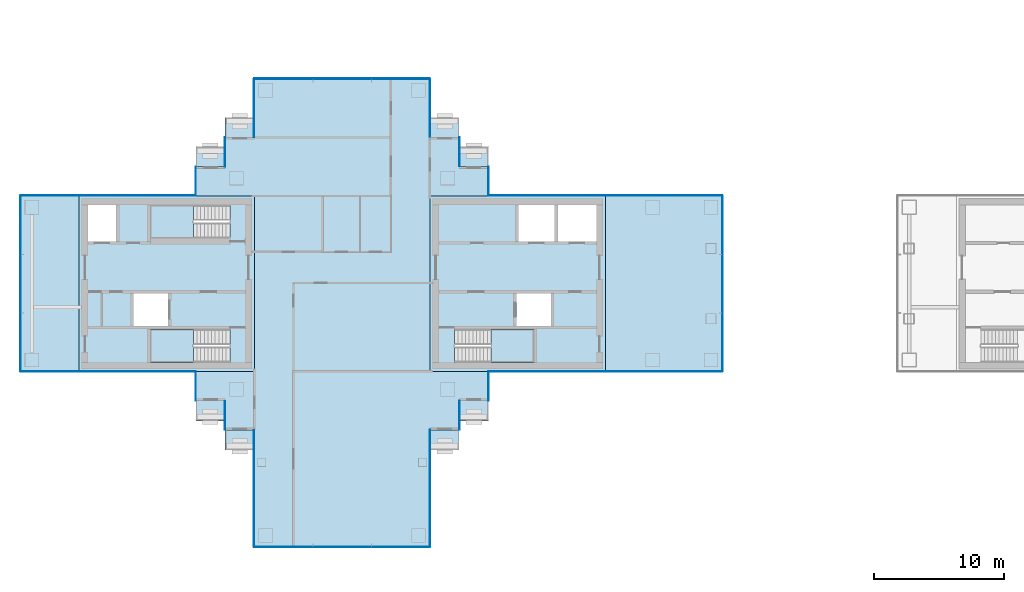
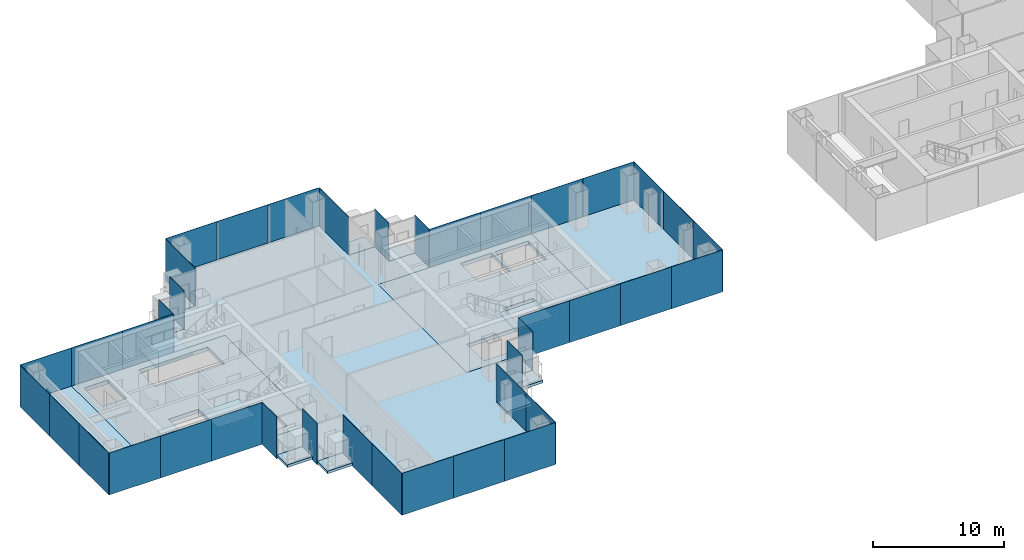
# One storey, part 7 of 16: 40 plates, 16 slabs, 23 elements without a shape of their own.
"""IFC4 building model written with IfcOpenShell, lengths in metres."""

from ifc_helpers import new_model, si_unit, direction, frame, origin, origin_2d, place, context, subcontext, project, spatial, polyline, rectangle, outline, extrude, material, layer, layer_set, type_object, element, aggregate, save


model = new_model("IFC4")

# Units and contexts
model_context = context("Model", 3, precision=1e-05, world=origin(), true_north=direction((0.0, 1.0)))
body_context = subcontext(model_context, "Body", "Model", "MODEL_VIEW")
ifc_project = project(units=[si_unit("LENGTHUNIT", "METRE"), si_unit("AREAUNIT", "SQUARE_METRE"), si_unit("VOLUMEUNIT", "CUBIC_METRE"), si_unit("PLANEANGLEUNIT", "RADIAN"), si_unit("MASSUNIT", "GRAM", prefix="KILO")], contexts=[model_context])

# Site, building, storey
site_placement = place(None, origin())
site = spatial("IfcSite", under=ifc_project, at=site_placement, CompositionType="ELEMENT")
building_placement = place(site_placement, origin())
building = spatial("IfcBuilding", under=site, at=building_placement, Name="Shamsa Quay Exchange Towers", CompositionType="ELEMENT")
storey_placement = place(building_placement, frame((0.0, 0.0, 158.39990234375)))
storey = spatial("IfcBuildingStorey", under=building, at=storey_placement, Name="L37", CompositionType="ELEMENT", Elevation=158.39990234375)

# Slabs
ifc_material_1 = material(Name="Precast concrete C40/50", Category="concrete")
ifc_layer_1 = layer(ifc_material_1, 0.25)
ifc_layer_set_1 = layer_set([ifc_layer_1], Name="BALCONY SLAB 250")
slab_type_1 = type_object("IfcSlabType", Name="BALCONY SLAB 250", PredefinedType="FLOOR", material=ifc_layer_set_1)
slab_1_placement = place(storey_placement, frame((0.0, 0.0, -0.25)))
element("IfcSlab", 1, at=slab_1_placement, inside=storey, type_object=slab_type_1, Name="Balcony T1-PKEN L37", PredefinedType="FLOOR", context=body_context, shape_type="SweptSolid", body=[
    extrude(outline(polyline([(-22.5, 9.0), (-24.7119140625, 9.0), (-24.7119140625, 10.550048828125), (-22.5, 10.550048828125), (-22.5, 9.0)])), origin(), (0.0, 0.0, 1.0), 0.25),
])
slab_2_placement = place(storey_placement, frame((0.0, 0.0, -0.25)))
element("IfcSlab", 2, at=slab_2_placement, inside=storey, type_object=slab_type_1, Name="Balcony T1-PKEN L37", PredefinedType="FLOOR", context=body_context, shape_type="SweptSolid", body=[
    extrude(outline(polyline([(-24.75, 11.25), (-26.9619140625, 11.25), (-26.9619140625, 12.800048828125), (-24.75, 12.800048828125), (-24.75, 11.25)])), origin(), (0.0, 0.0, 1.0), 0.25),
])
slab_3_placement = place(storey_placement, frame((0.0, 0.0, -0.25)))
element("IfcSlab", 3, at=slab_3_placement, inside=storey, type_object=slab_type_1, Name="Balcony T1-PKES L37", PredefinedType="FLOOR", context=body_context, shape_type="SweptSolid", body=[
    extrude(outline(polyline([(-24.7119140625, -9.0), (-22.5, -9.0), (-22.5, -10.550048828125), (-24.7119140625, -10.550048828125), (-24.7119140625, -9.0)])), origin(), (0.0, 0.0, 1.0), 0.25),
])
slab_4_placement = place(storey_placement, frame((0.0, 0.0, -0.25)))
element("IfcSlab", 4, at=slab_4_placement, inside=storey, type_object=slab_type_1, Name="Balcony T1-PKES L37", PredefinedType="FLOOR", context=body_context, shape_type="SweptSolid", body=[
    extrude(outline(polyline([(-26.9619140625, -11.25), (-24.75, -11.25), (-24.75, -12.800048828125), (-26.9619140625, -12.800048828125), (-26.9619140625, -11.25)])), origin(), (0.0, 0.0, 1.0), 0.25),
])
slab_5_placement = place(storey_placement, frame((0.0, 0.0, -0.25)))
element("IfcSlab", 5, at=slab_5_placement, inside=storey, type_object=slab_type_1, Name="Balcony T1-PKWN L37", PredefinedType="FLOOR", context=body_context, shape_type="SweptSolid", body=[
    extrude(outline(polyline([(-40.5380859375, 11.25), (-42.75, 11.25), (-42.75, 12.800048828125), (-40.5380859375, 12.800048828125), (-40.5380859375, 11.25)])), origin(), (0.0, 0.0, 1.0), 0.25),
])
slab_6_placement = place(storey_placement, frame((0.0, 0.0, -0.25)))
element("IfcSlab", 6, at=slab_6_placement, inside=storey, type_object=slab_type_1, Name="Balcony T1-PKWN L37", PredefinedType="FLOOR", context=body_context, shape_type="SweptSolid", body=[
    extrude(outline(polyline([(-42.7880859375, 9.0), (-45.0, 9.0), (-45.0, 10.550048828125), (-42.7880859375, 10.550048828125), (-42.7880859375, 9.0)])), origin(), (0.0, 0.0, 1.0), 0.25),
])
slab_7_placement = place(storey_placement, frame((0.0, 0.0, -0.25)))
element("IfcSlab", 7, at=slab_7_placement, inside=storey, type_object=slab_type_1, Name="Balcony T1-PKWS L37", PredefinedType="FLOOR", context=body_context, shape_type="SweptSolid", body=[
    extrude(outline(polyline([(-45.0, -9.0), (-42.7880859375, -9.0), (-42.7880859375, -10.550048828125), (-45.0, -10.550048828125), (-45.0, -9.0)])), origin(), (0.0, 0.0, 1.0), 0.25),
])
slab_8_placement = place(storey_placement, frame((0.0, 0.0, -0.25)))
element("IfcSlab", 8, at=slab_8_placement, inside=storey, type_object=slab_type_1, Name="Balcony T1-PKWS L37", PredefinedType="FLOOR", context=body_context, shape_type="SweptSolid", body=[
    extrude(outline(polyline([(-42.75, -11.25), (-40.5380859375, -11.25), (-40.5380859375, -12.800048828125), (-42.75, -12.800048828125), (-42.75, -11.25)])), origin(), (0.0, 0.0, 1.0), 0.25),
])
ifc_material_2 = material(Name="Concrete C50/60", Category="concrete")
ifc_layer_2 = layer(ifc_material_2, 0.35009765625)
ifc_layer_set_2 = layer_set([ifc_layer_2], Name="CORE FLOOR 350 C50/60")
slab_type_2 = type_object("IfcSlabType", Name="CORE FLOOR 350 C50/60", PredefinedType="FLOOR", material=ifc_layer_set_2)
slab_9_placement = place(storey_placement, frame((0.0, 0.0, -0.349853515625)))
element("IfcSlab", 9, at=slab_9_placement, inside=storey, type_object=slab_type_2, Name="Core floor T1A", PredefinedType="FLOOR", context=body_context, shape_type="SweptSolid", body=[
    extrude(outline(polyline([(-27.0, -6.75), (-13.5, -6.75), (-13.5, 6.75), (-27.0, 6.75), (-27.0, -6.75)]), holes=[polyline([(-25.099365234375, -6.050048828125), (-25.099365234375, -3.5), (-19.0, -3.5), (-19.0, -6.050048828125), (-25.099365234375, -6.050048828125)]), polyline([(-20.199951171875, 3.25), (-20.199951171875, 6.050048828125), (-17.39990234375, 6.050048828125), (-17.39990234375, 3.25), (-20.199951171875, 3.25)]), polyline([(-17.14990234375, 3.25), (-17.14990234375, 6.050048828125), (-14.199951171875, 6.050048828125), (-14.199951171875, 3.25), (-17.14990234375, 3.25)]), polyline([(-20.35009765625, -3.25), (-20.35009765625, -0.75), (-17.699951171875, -0.75), (-17.699951171875, -3.25), (-20.35009765625, -3.25)])]), origin(), (0.0, 0.0, 1.0), 0.349853515625),
])
slab_10_placement = place(storey_placement, frame((0.0, 0.0, -0.349853515625)))
element("IfcSlab", 10, at=slab_10_placement, inside=storey, type_object=slab_type_2, Name="Core floor T1B", PredefinedType="FLOOR", context=body_context, shape_type="SweptSolid", body=[
    extrude(outline(polyline([(-40.5, -6.75), (-40.5, 6.75), (-54.0, 6.75), (-54.0, -6.75), (-40.5, -6.75)]), holes=[polyline([(-42.400634765625, -3.5), (-42.400634765625, -6.050048828125), (-48.5, -6.050048828125), (-48.5, -3.5), (-42.400634765625, -3.5)]), polyline([(-42.400634765625, 6.050048828125), (-42.400634765625, 3.5), (-48.5, 3.5), (-48.5, 6.050048828125), (-42.400634765625, 6.050048828125)]), polyline([(-51.14990234375, 3.25), (-53.300048828125, 3.25), (-53.300048828125, 6.050048828125), (-51.14990234375, 6.050048828125), (-51.14990234375, 3.25)]), polyline([(-47.14990234375, -3.25), (-49.800048828125, -3.25), (-49.800048828125, -0.75), (-47.14990234375, -0.75), (-47.14990234375, -3.25)])]), origin(), (0.0, 0.0, 1.0), 0.349853515625),
])

# Stair, slab
ifc_material_3 = material(Name="Concrete C40/50", Category="concrete")
stair_type = type_object("IfcStairType", Name="EXIT STAIR 22 RISERS 177 MM", PredefinedType="HALF_TURN_STAIR", material=ifc_material_3)
stair_1_placement = place(storey_placement, origin())
stair_1 = element("IfcStair", 11, at=stair_1_placement, inside=storey, type_object=stair_type, Name="L37 Exit stair ST1", PredefinedType="HALF_TURN_STAIR")
ifc_layer_3 = layer(ifc_material_3, 0.199951171875)
ifc_layer_set_3 = layer_set([ifc_layer_3], Name="CORE STAIR LANDING")
slab_type_3 = type_object("IfcSlabType", Name="CORE STAIR LANDING", PredefinedType="LANDING", material=ifc_layer_set_3)
slab_11_placement = place(storey_placement, frame((0.0, 0.0, 1.75)))
slab_11 = element("IfcSlab", 12, at=slab_11_placement, type_object=slab_type_3, Name="ST1 landing 1", PredefinedType="LANDING", context=body_context, shape_type="SweptSolid", body=[
    extrude(outline(polyline([(-22.300048828125, -6.050048828125), (-19.0, -6.050048828125), (-19.0, -3.5), (-22.300048828125, -3.5), (-22.300048828125, -6.050048828125)])), origin(), (0.0, 0.0, 1.0), 0.2001953125),
])
aggregate(stair_1, [slab_11])

stair_2_placement = place(storey_placement, origin())
stair_2 = element("IfcStair", 13, at=stair_2_placement, inside=storey, type_object=stair_type, Name="L37 Exit stair ST2", PredefinedType="HALF_TURN_STAIR")
slab_12_placement = place(storey_placement, frame((0.0, 0.0, 1.75)))
slab_12 = element("IfcSlab", 14, at=slab_12_placement, type_object=slab_type_3, Name="ST2 landing 1", PredefinedType="LANDING", context=body_context, shape_type="SweptSolid", body=[
    extrude(outline(polyline([(-45.199951171875, -3.5), (-48.5, -3.5), (-48.5, -6.050048828125), (-45.199951171875, -6.050048828125), (-45.199951171875, -3.5)])), origin(), (0.0, 0.0, 1.0), 0.2001953125),
])
aggregate(stair_2, [slab_12])

stair_3_placement = place(storey_placement, origin())
stair_3 = element("IfcStair", 15, at=stair_3_placement, inside=storey, type_object=stair_type, Name="L37 Exit stair ST3", PredefinedType="HALF_TURN_STAIR")
slab_13_placement = place(storey_placement, frame((0.0, 0.0, 1.75)))
slab_13 = element("IfcSlab", 16, at=slab_13_placement, type_object=slab_type_3, Name="ST3 landing 1", PredefinedType="LANDING", context=body_context, shape_type="SweptSolid", body=[
    extrude(outline(polyline([(-45.199951171875, 6.050048828125), (-48.5, 6.050048828125), (-48.5, 3.5), (-45.199951171875, 3.5), (-45.199951171875, 6.050048828125)])), origin(), (0.0, 0.0, 1.0), 0.2001953125),
])
aggregate(stair_3, [slab_13])

# Curtain wall, plates
ifc_material_4 = material(Name="Aluminium EN AW-6063 T6, black anodised", Category="aluminium")
ifc_layer_4 = layer(ifc_material_4, 0.280029296875)
ifc_layer_set_4 = layer_set([ifc_layer_4], Name="CW-1 UNITISED VISION GLASS")
curtain_wall_type_1 = type_object("IfcCurtainWallType", Name="CW-1 UNITISED VISION GLASS", PredefinedType="NOTDEFINED", material=ifc_layer_set_4)
curtain_wall_1_placement = place(storey_placement, origin())
curtain_wall_1 = element("IfcCurtainWall", 17, at=curtain_wall_1_placement, inside=storey, type_object=curtain_wall_type_1, Name="CW1 T1-FLK-V-W L37", PredefinedType="NOTDEFINED")
ifc_material_5 = material(Name="Glass, laminated, dark tinted", Category="glass")
ifc_layer_5 = layer(ifc_material_5, 0.0400390625)
ifc_layer_set_5 = layer_set([ifc_layer_5], Name="CW-1 VISION GLASS 40")
plate_type_1 = type_object("IfcPlateType", Name="CW-1 VISION GLASS 40", PredefinedType="CURTAIN_PANEL", material=ifc_layer_set_5)
plate_1_placement = place(storey_placement, frame((-40.52001953125, -13.52587890625, -0.349853515625), z_axis=(0.0, 0.0, 1.0), x_axis=(0.0, -1.0, 0.0)))
plate_1 = element("IfcPlate", 18, at=plate_1_placement, type_object=plate_type_1, Name="CW1 glass panel", PredefinedType="CURTAIN_PANEL", context=body_context, shape_type="SweptSolid", body=[
    extrude(rectangle(XDim=4.47607421875, YDim=0.0400390625, at=origin_2d()), origin(), (0.0, 0.0, 1.0), 3.89990234375),
])
plate_2_placement = place(storey_placement, frame((-40.52001953125, -18.011962890625, -0.349853515625), z_axis=(0.0, 0.0, 1.0), x_axis=(0.0, -1.0, 0.0)))
plate_2 = element("IfcPlate", 19, at=plate_2_placement, type_object=plate_type_1, Name="CW1 glass panel", PredefinedType="CURTAIN_PANEL", context=body_context, shape_type="SweptSolid", body=[
    extrude(rectangle(XDim=4.47607421875, YDim=0.0400390625, at=origin_2d()), origin(), (0.0, 0.0, 1.0), 3.89990234375),
])
aggregate(curtain_wall_1, [plate_1, plate_2])

curtain_wall_2_placement = place(storey_placement, origin())
curtain_wall_2 = element("IfcCurtainWall", 20, at=curtain_wall_2_placement, inside=storey, type_object=curtain_wall_type_1, Name="CW1 T1-END-V- L37", PredefinedType="NOTDEFINED")
plate_3_placement = place(storey_placement, frame((-38.25244140625, -20.27001953125, -0.349853515625)))
plate_3 = element("IfcPlate", 21, at=plate_3_placement, type_object=plate_type_1, Name="CW1 glass panel", PredefinedType="CURTAIN_PANEL", context=body_context, shape_type="SweptSolid", body=[
    extrude(rectangle(XDim=4.4951171875, YDim=0.0400390625, at=origin_2d()), origin(), (0.0, 0.0, 1.0), 3.89990234375),
])
plate_4_placement = place(storey_placement, frame((-33.75, -20.27001953125, -0.349853515625)))
plate_4 = element("IfcPlate", 22, at=plate_4_placement, type_object=plate_type_1, Name="CW1 glass panel", PredefinedType="CURTAIN_PANEL", context=body_context, shape_type="SweptSolid", body=[
    extrude(rectangle(XDim=4.489990234375, YDim=0.0400390625, at=origin_2d()), origin(), (0.0, 0.0, 1.0), 3.89990234375),
])
plate_5_placement = place(storey_placement, frame((-29.24755859375, -20.27001953125, -0.349853515625)))
plate_5 = element("IfcPlate", 23, at=plate_5_placement, type_object=plate_type_1, Name="CW1 glass panel", PredefinedType="CURTAIN_PANEL", context=body_context, shape_type="SweptSolid", body=[
    extrude(rectangle(XDim=4.4951171875, YDim=0.0400390625, at=origin_2d()), origin(), (0.0, 0.0, 1.0), 3.89990234375),
])
aggregate(curtain_wall_2, [plate_3, plate_4, plate_5])

curtain_wall_3_placement = place(storey_placement, origin())
curtain_wall_3 = element("IfcCurtainWall", 24, at=curtain_wall_3_placement, inside=storey, type_object=curtain_wall_type_1, Name="CW1 T1-FLK-V-E L37", PredefinedType="NOTDEFINED")
plate_6_placement = place(storey_placement, frame((-26.97998046875, -18.00244140625, -0.349853515625), z_axis=(0.0, 0.0, 1.0), x_axis=(0.0, 1.0, 0.0)))
plate_6 = element("IfcPlate", 25, at=plate_6_placement, type_object=plate_type_1, Name="CW1 glass panel", PredefinedType="CURTAIN_PANEL", context=body_context, shape_type="SweptSolid", body=[
    extrude(rectangle(XDim=4.4951171875, YDim=0.0400390625, at=origin_2d()), origin(), (0.0, 0.0, 1.0), 3.89990234375),
])
plate_7_placement = place(storey_placement, frame((-26.97998046875, -13.49755859375, -0.349853515625), z_axis=(0.0, 0.0, 1.0), x_axis=(0.0, 1.0, 0.0)))
plate_7 = element("IfcPlate", 26, at=plate_7_placement, type_object=plate_type_1, Name="CW1 glass panel", PredefinedType="CURTAIN_PANEL", context=body_context, shape_type="SweptSolid", body=[
    extrude(rectangle(XDim=4.4951171875, YDim=0.0400390625, at=origin_2d()), origin(), (0.0, 0.0, 1.0), 3.89990234375),
])
aggregate(curtain_wall_3, [plate_6, plate_7])

curtain_wall_4_placement = place(storey_placement, origin())
curtain_wall_4 = element("IfcCurtainWall", 27, at=curtain_wall_4_placement, inside=storey, type_object=curtain_wall_type_1, Name="CW1 T1-FLK-U+S L37", PredefinedType="NOTDEFINED")
plate_8_placement = place(storey_placement, frame((-11.25244140625, -6.77001953125, -0.349853515625)))
plate_8 = element("IfcPlate", 28, at=plate_8_placement, type_object=plate_type_1, Name="CW1 glass panel", PredefinedType="CURTAIN_PANEL", context=body_context, shape_type="SweptSolid", body=[
    extrude(rectangle(XDim=4.4951171875, YDim=0.0400390625, at=origin_2d()), origin(), (0.0, 0.0, 1.0), 3.89990234375),
])
plate_9_placement = place(storey_placement, frame((-6.74755859375, -6.77001953125, -0.349853515625)))
plate_9 = element("IfcPlate", 29, at=plate_9_placement, type_object=plate_type_1, Name="CW1 glass panel", PredefinedType="CURTAIN_PANEL", context=body_context, shape_type="SweptSolid", body=[
    extrude(rectangle(XDim=4.4951171875, YDim=0.0400390625, at=origin_2d()), origin(), (0.0, 0.0, 1.0), 3.89990234375),
])
aggregate(curtain_wall_4, [plate_8, plate_9])

curtain_wall_5_placement = place(storey_placement, origin())
curtain_wall_5 = element("IfcCurtainWall", 30, at=curtain_wall_5_placement, inside=storey, type_object=curtain_wall_type_1, Name="CW1 T1-END-U+ L37", PredefinedType="NOTDEFINED")
plate_10_placement = place(storey_placement, frame((-4.47998046875, -4.50244140625, -0.349853515625), z_axis=(0.0, 0.0, 1.0), x_axis=(0.0, 1.0, 0.0)))
plate_10 = element("IfcPlate", 31, at=plate_10_placement, type_object=plate_type_1, Name="CW1 glass panel", PredefinedType="CURTAIN_PANEL", context=body_context, shape_type="SweptSolid", body=[
    extrude(rectangle(XDim=4.4951171875, YDim=0.0400390625, at=origin_2d()), origin(), (0.0, 0.0, 1.0), 3.89990234375),
])
plate_11_placement = place(storey_placement, frame((-4.47998046875, 0.0, -0.349853515625), z_axis=(0.0, 0.0, 1.0), x_axis=(0.0, 1.0, 0.0)))
plate_11 = element("IfcPlate", 32, at=plate_11_placement, type_object=plate_type_1, Name="CW1 glass panel", PredefinedType="CURTAIN_PANEL", context=body_context, shape_type="SweptSolid", body=[
    extrude(rectangle(XDim=4.489990234375, YDim=0.0400390625, at=origin_2d()), origin(), (0.0, 0.0, 1.0), 3.89990234375),
])
plate_12_placement = place(storey_placement, frame((-4.47998046875, 4.50244140625, -0.349853515625), z_axis=(0.0, 0.0, 1.0), x_axis=(0.0, 1.0, 0.0)))
plate_12 = element("IfcPlate", 33, at=plate_12_placement, type_object=plate_type_1, Name="CW1 glass panel", PredefinedType="CURTAIN_PANEL", context=body_context, shape_type="SweptSolid", body=[
    extrude(rectangle(XDim=4.4951171875, YDim=0.0400390625, at=origin_2d()), origin(), (0.0, 0.0, 1.0), 3.89990234375),
])
aggregate(curtain_wall_5, [plate_10, plate_11, plate_12])

curtain_wall_6_placement = place(storey_placement, origin())
curtain_wall_6 = element("IfcCurtainWall", 34, at=curtain_wall_6_placement, inside=storey, type_object=curtain_wall_type_1, Name="CW1 T1-FLK-U+N L37", PredefinedType="NOTDEFINED")
plate_13_placement = place(storey_placement, frame((-6.74755859375, 6.77001953125, -0.349853515625), z_axis=(0.0, 0.0, 1.0), x_axis=(-1.0, 0.0, 0.0)))
plate_13 = element("IfcPlate", 35, at=plate_13_placement, type_object=plate_type_1, Name="CW1 glass panel", PredefinedType="CURTAIN_PANEL", context=body_context, shape_type="SweptSolid", body=[
    extrude(rectangle(XDim=4.4951171875, YDim=0.0400390625, at=origin_2d()), origin(), (0.0, 0.0, 1.0), 3.89990234375),
])
plate_14_placement = place(storey_placement, frame((-11.25244140625, 6.77001953125, -0.349853515625), z_axis=(0.0, 0.0, 1.0), x_axis=(-1.0, 0.0, 0.0)))
plate_14 = element("IfcPlate", 36, at=plate_14_placement, type_object=plate_type_1, Name="CW1 glass panel", PredefinedType="CURTAIN_PANEL", context=body_context, shape_type="SweptSolid", body=[
    extrude(rectangle(XDim=4.4951171875, YDim=0.0400390625, at=origin_2d()), origin(), (0.0, 0.0, 1.0), 3.89990234375),
])
aggregate(curtain_wall_6, [plate_13, plate_14])

# Curtain wall, plate
curtain_wall_7_placement = place(storey_placement, origin())
curtain_wall_7 = element("IfcCurtainWall", 37, at=curtain_wall_7_placement, inside=storey, type_object=curtain_wall_type_1, Name="CW1 T1-FLK-V+E L37", PredefinedType="NOTDEFINED")
plate_15_placement = place(storey_placement, frame((-26.97998046875, 13.51904296875, -0.349853515625), z_axis=(0.0, 0.0, 1.0), x_axis=(0.0, 1.0, 0.0)))
plate_15 = element("IfcPlate", 38, at=plate_15_placement, type_object=plate_type_1, Name="CW1 glass panel", PredefinedType="CURTAIN_PANEL", context=body_context, shape_type="SweptSolid", body=[
    extrude(rectangle(XDim=4.4619140625, YDim=0.0400390625, at=origin_2d()), origin(), (0.0, 0.0, 1.0), 3.89990234375),
])
aggregate(curtain_wall_7, [plate_15])

# Curtain wall, plates
curtain_wall_8_placement = place(storey_placement, origin())
curtain_wall_8 = element("IfcCurtainWall", 39, at=curtain_wall_8_placement, inside=storey, type_object=curtain_wall_type_1, Name="CW1 T1-END-V+ L37", PredefinedType="NOTDEFINED")
plate_16_placement = place(storey_placement, frame((-29.24755859375, 15.77001953125, -0.349853515625), z_axis=(0.0, 0.0, 1.0), x_axis=(-1.0, 0.0, 0.0)))
plate_16 = element("IfcPlate", 40, at=plate_16_placement, type_object=plate_type_1, Name="CW1 glass panel", PredefinedType="CURTAIN_PANEL", context=body_context, shape_type="SweptSolid", body=[
    extrude(rectangle(XDim=4.4951171875, YDim=0.0400390625, at=origin_2d()), origin(), (0.0, 0.0, 1.0), 3.89990234375),
])
plate_17_placement = place(storey_placement, frame((-33.75, 15.77001953125, -0.349853515625), z_axis=(0.0, 0.0, 1.0), x_axis=(-1.0, 0.0, 0.0)))
plate_17 = element("IfcPlate", 41, at=plate_17_placement, type_object=plate_type_1, Name="CW1 glass panel", PredefinedType="CURTAIN_PANEL", context=body_context, shape_type="SweptSolid", body=[
    extrude(rectangle(XDim=4.489990234375, YDim=0.0400390625, at=origin_2d()), origin(), (0.0, 0.0, 1.0), 3.89990234375),
])
plate_18_placement = place(storey_placement, frame((-38.25244140625, 15.77001953125, -0.349853515625), z_axis=(0.0, 0.0, 1.0), x_axis=(-1.0, 0.0, 0.0)))
plate_18 = element("IfcPlate", 42, at=plate_18_placement, type_object=plate_type_1, Name="CW1 glass panel", PredefinedType="CURTAIN_PANEL", context=body_context, shape_type="SweptSolid", body=[
    extrude(rectangle(XDim=4.4951171875, YDim=0.0400390625, at=origin_2d()), origin(), (0.0, 0.0, 1.0), 3.89990234375),
])
aggregate(curtain_wall_8, [plate_16, plate_17, plate_18])

# Curtain wall, plate
curtain_wall_9_placement = place(storey_placement, origin())
curtain_wall_9 = element("IfcCurtainWall", 43, at=curtain_wall_9_placement, inside=storey, type_object=curtain_wall_type_1, Name="CW1 T1-FLK-V+W L37", PredefinedType="NOTDEFINED")
plate_19_placement = place(storey_placement, frame((-40.52001953125, 13.5, -0.349853515625), z_axis=(0.0, 0.0, 1.0), x_axis=(0.0, -1.0, 0.0)))
plate_19 = element("IfcPlate", 44, at=plate_19_placement, type_object=plate_type_1, Name="CW1 glass panel", PredefinedType="CURTAIN_PANEL", context=body_context, shape_type="SweptSolid", body=[
    extrude(rectangle(XDim=4.5, YDim=0.0400390625, at=origin_2d()), origin(), (0.0, 0.0, 1.0), 3.89990234375),
])
aggregate(curtain_wall_9, [plate_19])

curtain_wall_10_placement = place(storey_placement, origin())
curtain_wall_10 = element("IfcCurtainWall", 45, at=curtain_wall_10_placement, inside=storey, type_object=curtain_wall_type_1, Name="CW1 T1-FLK-U-N L37", PredefinedType="NOTDEFINED")
plate_20_placement = place(storey_placement, frame((-56.25, 6.77001953125, -0.349853515625), z_axis=(0.0, 0.0, 1.0), x_axis=(-1.0, 0.0, 0.0)))
plate_20 = element("IfcPlate", 46, at=plate_20_placement, type_object=plate_type_1, Name="CW1 glass panel", PredefinedType="CURTAIN_PANEL", context=body_context, shape_type="SweptSolid", body=[
    extrude(rectangle(XDim=4.5, YDim=0.0400390625, at=origin_2d()), origin(), (0.0, 0.0, 1.0), 3.89990234375),
])
aggregate(curtain_wall_10, [plate_20])

# Curtain wall, plates
curtain_wall_11_placement = place(storey_placement, origin())
curtain_wall_11 = element("IfcCurtainWall", 47, at=curtain_wall_11_placement, inside=storey, type_object=curtain_wall_type_1, Name="CW1 T1-END-U- L37", PredefinedType="NOTDEFINED")
plate_21_placement = place(storey_placement, frame((-58.52001953125, 4.50244140625, -0.349853515625), z_axis=(0.0, 0.0, 1.0), x_axis=(0.0, -1.0, 0.0)))
plate_21 = element("IfcPlate", 48, at=plate_21_placement, type_object=plate_type_1, Name="CW1 glass panel", PredefinedType="CURTAIN_PANEL", context=body_context, shape_type="SweptSolid", body=[
    extrude(rectangle(XDim=4.4951171875, YDim=0.0400390625, at=origin_2d()), origin(), (0.0, 0.0, 1.0), 3.89990234375),
])
plate_22_placement = place(storey_placement, frame((-58.52001953125, 0.0, -0.349853515625), z_axis=(0.0, 0.0, 1.0), x_axis=(0.0, -1.0, 0.0)))
plate_22 = element("IfcPlate", 49, at=plate_22_placement, type_object=plate_type_1, Name="CW1 glass panel", PredefinedType="CURTAIN_PANEL", context=body_context, shape_type="SweptSolid", body=[
    extrude(rectangle(XDim=4.489990234375, YDim=0.0400390625, at=origin_2d()), origin(), (0.0, 0.0, 1.0), 3.89990234375),
])
plate_23_placement = place(storey_placement, frame((-58.52001953125, -4.50244140625, -0.349853515625), z_axis=(0.0, 0.0, 1.0), x_axis=(0.0, -1.0, 0.0)))
plate_23 = element("IfcPlate", 50, at=plate_23_placement, type_object=plate_type_1, Name="CW1 glass panel", PredefinedType="CURTAIN_PANEL", context=body_context, shape_type="SweptSolid", body=[
    extrude(rectangle(XDim=4.4951171875, YDim=0.0400390625, at=origin_2d()), origin(), (0.0, 0.0, 1.0), 3.89990234375),
])
aggregate(curtain_wall_11, [plate_21, plate_22, plate_23])

# Curtain wall, plate
curtain_wall_12_placement = place(storey_placement, origin())
curtain_wall_12 = element("IfcCurtainWall", 51, at=curtain_wall_12_placement, inside=storey, type_object=curtain_wall_type_1, Name="CW1 T1-FLK-U-S L37", PredefinedType="NOTDEFINED")
plate_24_placement = place(storey_placement, frame((-56.25, -6.77001953125, -0.349853515625)))
plate_24 = element("IfcPlate", 52, at=plate_24_placement, type_object=plate_type_1, Name="CW1 glass panel", PredefinedType="CURTAIN_PANEL", context=body_context, shape_type="SweptSolid", body=[
    extrude(rectangle(XDim=4.5, YDim=0.0400390625, at=origin_2d()), origin(), (0.0, 0.0, 1.0), 3.89990234375),
])
aggregate(curtain_wall_12, [plate_24])

# Curtain wall, plates
ifc_layer_6 = layer(ifc_material_4, 0.303955078125)
ifc_layer_set_6 = layer_set([ifc_layer_6], Name="CW-2 UNITISED OPAQUE SPANDREL GLASS")
curtain_wall_type_2 = type_object("IfcCurtainWallType", Name="CW-2 UNITISED OPAQUE SPANDREL GLASS", PredefinedType="NOTDEFINED", material=ifc_layer_set_6)
curtain_wall_13_placement = place(storey_placement, origin())
curtain_wall_13 = element("IfcCurtainWall", 53, at=curtain_wall_13_placement, inside=storey, type_object=curtain_wall_type_2, Name="CW2 T1-FLK-U+S L37", PredefinedType="NOTDEFINED")
ifc_material_6 = material(Name="Glass, laminated, black enamelled opaque", Category="glass")
ifc_layer_7 = layer(ifc_material_6, 0.0439453125)
ifc_layer_set_7 = layer_set([ifc_layer_7], Name="CW-2 SPANDREL GLASS 44")
plate_type_2 = type_object("IfcPlateType", Name="CW-2 SPANDREL GLASS 44", PredefinedType="CURTAIN_PANEL", material=ifc_layer_set_7)
plate_25_placement = place(storey_placement, frame((-20.22412109375, -6.77197265625, -0.349853515625)))
plate_25 = element("IfcPlate", 54, at=plate_25_placement, type_object=plate_type_2, Name="CW2 glass panel", PredefinedType="CURTAIN_PANEL", context=body_context, shape_type="SweptSolid", body=[
    extrude(rectangle(XDim=4.47607421875, YDim=0.0439453125, at=origin_2d()), origin(), (0.0, 0.0, 1.0), 3.89990234375),
])
plate_26_placement = place(storey_placement, frame((-15.738037109375, -6.77197265625, -0.349853515625)))
plate_26 = element("IfcPlate", 55, at=plate_26_placement, type_object=plate_type_2, Name="CW2 glass panel", PredefinedType="CURTAIN_PANEL", context=body_context, shape_type="SweptSolid", body=[
    extrude(rectangle(XDim=4.47607421875, YDim=0.0439453125, at=origin_2d()), origin(), (0.0, 0.0, 1.0), 3.89990234375),
])
aggregate(curtain_wall_13, [plate_25, plate_26])

curtain_wall_14_placement = place(storey_placement, origin())
curtain_wall_14 = element("IfcCurtainWall", 56, at=curtain_wall_14_placement, inside=storey, type_object=curtain_wall_type_2, Name="CW2 T1-FLK-U+N L37", PredefinedType="NOTDEFINED")
plate_27_placement = place(storey_placement, frame((-15.74755859375, 6.77197265625, -0.349853515625), z_axis=(0.0, 0.0, 1.0), x_axis=(-1.0, 0.0, 0.0)))
plate_27 = element("IfcPlate", 57, at=plate_27_placement, type_object=plate_type_2, Name="CW2 glass panel", PredefinedType="CURTAIN_PANEL", context=body_context, shape_type="SweptSolid", body=[
    extrude(rectangle(XDim=4.4951171875, YDim=0.0439453125, at=origin_2d()), origin(), (0.0, 0.0, 1.0), 3.89990234375),
])
plate_28_placement = place(storey_placement, frame((-20.25244140625, 6.77197265625, -0.349853515625), z_axis=(0.0, 0.0, 1.0), x_axis=(-1.0, 0.0, 0.0)))
plate_28 = element("IfcPlate", 58, at=plate_28_placement, type_object=plate_type_2, Name="CW2 glass panel", PredefinedType="CURTAIN_PANEL", context=body_context, shape_type="SweptSolid", body=[
    extrude(rectangle(XDim=4.4951171875, YDim=0.0439453125, at=origin_2d()), origin(), (0.0, 0.0, 1.0), 3.89990234375),
])
aggregate(curtain_wall_14, [plate_27, plate_28])

curtain_wall_15_placement = place(storey_placement, origin())
curtain_wall_15 = element("IfcCurtainWall", 59, at=curtain_wall_15_placement, inside=storey, type_object=curtain_wall_type_2, Name="CW2 T1-FLK-U-N L37", PredefinedType="NOTDEFINED")
plate_29_placement = place(storey_placement, frame((-47.27587890625, 6.77197265625, -0.349853515625), z_axis=(0.0, 0.0, 1.0), x_axis=(-1.0, 0.0, 0.0)))
plate_29 = element("IfcPlate", 60, at=plate_29_placement, type_object=plate_type_2, Name="CW2 glass panel", PredefinedType="CURTAIN_PANEL", context=body_context, shape_type="SweptSolid", body=[
    extrude(rectangle(XDim=4.47607421875, YDim=0.0439453125, at=origin_2d()), origin(), (0.0, 0.0, 1.0), 3.89990234375),
])
plate_30_placement = place(storey_placement, frame((-51.761962890625, 6.77197265625, -0.349853515625), z_axis=(0.0, 0.0, 1.0), x_axis=(-1.0, 0.0, 0.0)))
plate_30 = element("IfcPlate", 61, at=plate_30_placement, type_object=plate_type_2, Name="CW2 glass panel", PredefinedType="CURTAIN_PANEL", context=body_context, shape_type="SweptSolid", body=[
    extrude(rectangle(XDim=4.47607421875, YDim=0.0439453125, at=origin_2d()), origin(), (0.0, 0.0, 1.0), 3.89990234375),
])
aggregate(curtain_wall_15, [plate_29, plate_30])

curtain_wall_16_placement = place(storey_placement, origin())
curtain_wall_16 = element("IfcCurtainWall", 62, at=curtain_wall_16_placement, inside=storey, type_object=curtain_wall_type_2, Name="CW2 T1-FLK-U-S L37", PredefinedType="NOTDEFINED")
plate_31_placement = place(storey_placement, frame((-51.75244140625, -6.77197265625, -0.349853515625)))
plate_31 = element("IfcPlate", 63, at=plate_31_placement, type_object=plate_type_2, Name="CW2 glass panel", PredefinedType="CURTAIN_PANEL", context=body_context, shape_type="SweptSolid", body=[
    extrude(rectangle(XDim=4.4951171875, YDim=0.0439453125, at=origin_2d()), origin(), (0.0, 0.0, 1.0), 3.89990234375),
])
plate_32_placement = place(storey_placement, frame((-47.24755859375, -6.77197265625, -0.349853515625)))
plate_32 = element("IfcPlate", 64, at=plate_32_placement, type_object=plate_type_2, Name="CW2 glass panel", PredefinedType="CURTAIN_PANEL", context=body_context, shape_type="SweptSolid", body=[
    extrude(rectangle(XDim=4.4951171875, YDim=0.0439453125, at=origin_2d()), origin(), (0.0, 0.0, 1.0), 3.89990234375),
])
aggregate(curtain_wall_16, [plate_31, plate_32])

ifc_layer_8 = layer(ifc_material_4, 0.256103515625)
ifc_layer_set_8 = layer_set([ifc_layer_8], Name="CW-4 POCKET SERRATED GLAZING")
curtain_wall_type_3 = type_object("IfcCurtainWallType", Name="CW-4 POCKET SERRATED GLAZING", PredefinedType="NOTDEFINED", material=ifc_layer_set_8)
curtain_wall_17_placement = place(storey_placement, origin())
curtain_wall_17 = element("IfcCurtainWall", 65, at=curtain_wall_17_placement, inside=storey, type_object=curtain_wall_type_3, Name="CW4 PKWS L37", PredefinedType="NOTDEFINED")
ifc_layer_9 = layer(ifc_material_5, 0.035888671875)
ifc_layer_set_9 = layer_set([ifc_layer_9], Name="CW-4 POCKET GLASS 36")
plate_type_3 = type_object("IfcPlateType", Name="CW-4 POCKET GLASS 36", PredefinedType="CURTAIN_PANEL", material=ifc_layer_set_9)
plate_33_placement = place(storey_placement, frame((-42.76806640625, -10.14404296875, -0.349853515625), z_axis=(0.0, 0.0, 1.0), x_axis=(0.0, -1.0, 0.0)))
plate_33 = element("IfcPlate", 66, at=plate_33_placement, type_object=plate_type_3, Name="CW4 glass panel", PredefinedType="CURTAIN_PANEL", context=body_context, shape_type="SweptSolid", body=[
    extrude(rectangle(XDim=2.2119140625, YDim=0.035888671875, at=origin_2d()), origin(), (0.0, 0.0, 1.0), 3.89990234375),
])
plate_34_placement = place(storey_placement, frame((-45.01806640625, -7.89794921875, -0.349853515625), z_axis=(0.0, 0.0, 1.0), x_axis=(0.0, -1.0, 0.0)))
plate_34 = element("IfcPlate", 67, at=plate_34_placement, type_object=plate_type_3, Name="CW4 glass panel", PredefinedType="CURTAIN_PANEL", context=body_context, shape_type="SweptSolid", body=[
    extrude(rectangle(XDim=2.2041015625, YDim=0.035888671875, at=origin_2d()), origin(), (0.0, 0.0, 1.0), 3.89990234375),
])
aggregate(curtain_wall_17, [plate_33, plate_34])

curtain_wall_18_placement = place(storey_placement, origin())
curtain_wall_18 = element("IfcCurtainWall", 68, at=curtain_wall_18_placement, inside=storey, type_object=curtain_wall_type_3, Name="CW4 PKES L37", PredefinedType="NOTDEFINED")
plate_35_placement = place(storey_placement, frame((-24.73193359375, -10.125, -0.349853515625), z_axis=(0.0, 0.0, 1.0), x_axis=(0.0, 1.0, 0.0)))
plate_35 = element("IfcPlate", 69, at=plate_35_placement, type_object=plate_type_3, Name="CW4 glass panel", PredefinedType="CURTAIN_PANEL", context=body_context, shape_type="SweptSolid", body=[
    extrude(rectangle(XDim=2.25, YDim=0.035888671875, at=origin_2d()), origin(), (0.0, 0.0, 1.0), 3.89990234375),
])
plate_36_placement = place(storey_placement, frame((-22.48193359375, -7.875, -0.349853515625), z_axis=(0.0, 0.0, 1.0), x_axis=(0.0, 1.0, 0.0)))
plate_36 = element("IfcPlate", 70, at=plate_36_placement, type_object=plate_type_3, Name="CW4 glass panel", PredefinedType="CURTAIN_PANEL", context=body_context, shape_type="SweptSolid", body=[
    extrude(rectangle(XDim=2.25, YDim=0.035888671875, at=origin_2d()), origin(), (0.0, 0.0, 1.0), 3.89990234375),
])
aggregate(curtain_wall_18, [plate_35, plate_36])

curtain_wall_19_placement = place(storey_placement, origin())
curtain_wall_19 = element("IfcCurtainWall", 71, at=curtain_wall_19_placement, inside=storey, type_object=curtain_wall_type_3, Name="CW4 PKEN L37", PredefinedType="NOTDEFINED")
plate_37_placement = place(storey_placement, frame((-22.48193359375, 7.89794921875, -0.349853515625), z_axis=(0.0, 0.0, 1.0), x_axis=(0.0, 1.0, 0.0)))
plate_37 = element("IfcPlate", 72, at=plate_37_placement, type_object=plate_type_3, Name="CW4 glass panel", PredefinedType="CURTAIN_PANEL", context=body_context, shape_type="SweptSolid", body=[
    extrude(rectangle(XDim=2.2041015625, YDim=0.035888671875, at=origin_2d()), origin(), (0.0, 0.0, 1.0), 3.89990234375),
])
plate_38_placement = place(storey_placement, frame((-24.73193359375, 10.14404296875, -0.349853515625), z_axis=(0.0, 0.0, 1.0), x_axis=(0.0, 1.0, 0.0)))
plate_38 = element("IfcPlate", 73, at=plate_38_placement, type_object=plate_type_3, Name="CW4 glass panel", PredefinedType="CURTAIN_PANEL", context=body_context, shape_type="SweptSolid", body=[
    extrude(rectangle(XDim=2.2119140625, YDim=0.035888671875, at=origin_2d()), origin(), (0.0, 0.0, 1.0), 3.89990234375),
])
aggregate(curtain_wall_19, [plate_37, plate_38])

curtain_wall_20_placement = place(storey_placement, origin())
curtain_wall_20 = element("IfcCurtainWall", 74, at=curtain_wall_20_placement, inside=storey, type_object=curtain_wall_type_3, Name="CW4 PKWN L37", PredefinedType="NOTDEFINED")
plate_39_placement = place(storey_placement, frame((-42.76806640625, 10.125, -0.349853515625), z_axis=(0.0, 0.0, 1.0), x_axis=(0.0, -1.0, 0.0)))
plate_39 = element("IfcPlate", 75, at=plate_39_placement, type_object=plate_type_3, Name="CW4 glass panel", PredefinedType="CURTAIN_PANEL", context=body_context, shape_type="SweptSolid", body=[
    extrude(rectangle(XDim=2.25, YDim=0.035888671875, at=origin_2d()), origin(), (0.0, 0.0, 1.0), 3.89990234375),
])
plate_40_placement = place(storey_placement, frame((-45.01806640625, 7.875, -0.349853515625), z_axis=(0.0, 0.0, 1.0), x_axis=(0.0, -1.0, 0.0)))
plate_40 = element("IfcPlate", 76, at=plate_40_placement, type_object=plate_type_3, Name="CW4 glass panel", PredefinedType="CURTAIN_PANEL", context=body_context, shape_type="SweptSolid", body=[
    extrude(rectangle(XDim=2.25, YDim=0.035888671875, at=origin_2d()), origin(), (0.0, 0.0, 1.0), 3.89990234375),
])
aggregate(curtain_wall_20, [plate_39, plate_40])

# Slabs
ifc_layer_10 = layer(ifc_material_3, 0.35009765625)
ifc_layer_set_10 = layer_set([ifc_layer_10], Name="Flat slab 350")
slab_type_4 = type_object("IfcSlabType", Name="Flat slab 350", PredefinedType="FLOOR", material=ifc_layer_set_10)
slab_14_placement = place(storey_placement, frame((0.0, 0.0, -0.349853515625)))
element("IfcSlab", 77, at=slab_14_placement, inside=storey, type_object=slab_type_4, Name="Flat slab T1 L37 1", PredefinedType="FLOOR", context=body_context, shape_type="SweptSolid", body=[
    extrude(outline(polyline([(-58.5, -6.75), (-54.0, -6.75), (-54.0, 6.75), (-58.5, 6.75), (-58.5, -6.75)])), origin(), (0.0, 0.0, 1.0), 0.349853515625),
])
slab_15_placement = place(storey_placement, frame((0.0, 0.0, -0.349853515625)))
element("IfcSlab", 78, at=slab_15_placement, inside=storey, type_object=slab_type_4, Name="Flat slab T1 L37 2", PredefinedType="FLOOR", context=body_context, shape_type="SweptSolid", body=[
    extrude(outline(polyline([(-22.5, -9.0), (-22.5, -6.75), (-27.0, -6.75), (-27.0, 6.75), (-22.5, 6.75), (-22.5, 9.0), (-24.75, 9.0), (-24.75, 11.25), (-27.0, 11.25), (-27.0, 15.75), (-40.5, 15.75), (-40.5, 11.25), (-42.75, 11.25), (-42.75, 9.0), (-45.0, 9.0), (-45.0, 6.75), (-40.5, 6.75), (-40.5, -6.75), (-45.0, -6.75), (-45.0, -9.0), (-42.75, -9.0), (-42.75, -11.25), (-40.5, -11.25), (-40.5, -20.25), (-27.0, -20.25), (-27.0, -11.25), (-24.75, -11.25), (-24.75, -9.0), (-22.5, -9.0)])), origin(), (0.0, 0.0, 1.0), 0.349853515625),
])
slab_16_placement = place(storey_placement, frame((0.0, 0.0, -0.349853515625)))
element("IfcSlab", 79, at=slab_16_placement, inside=storey, type_object=slab_type_4, Name="Flat slab T1 L37 3", PredefinedType="FLOOR", context=body_context, shape_type="SweptSolid", body=[
    extrude(outline(polyline([(-4.5, 6.75), (-13.5, 6.75), (-13.5, -6.75), (-4.5, -6.75), (-4.5, 6.75)])), origin(), (0.0, 0.0, 1.0), 0.349853515625),
])

save(model, "model.ifc")
